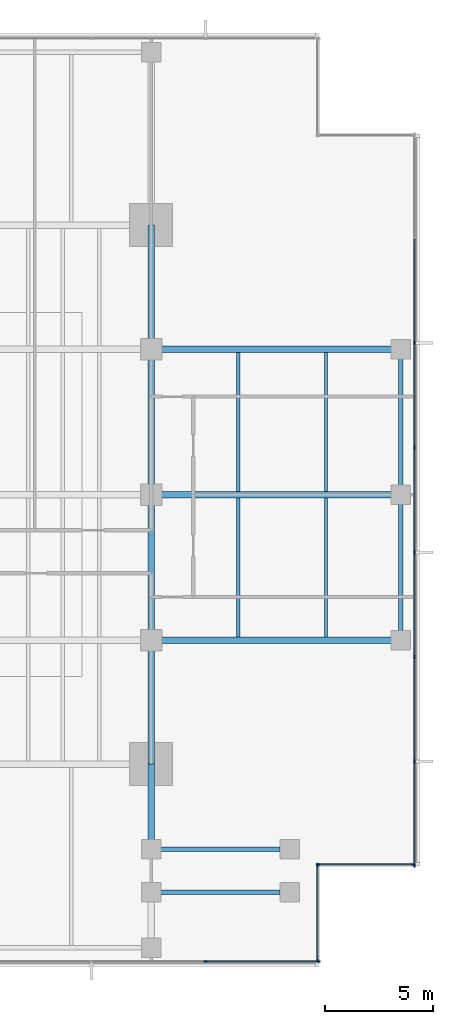
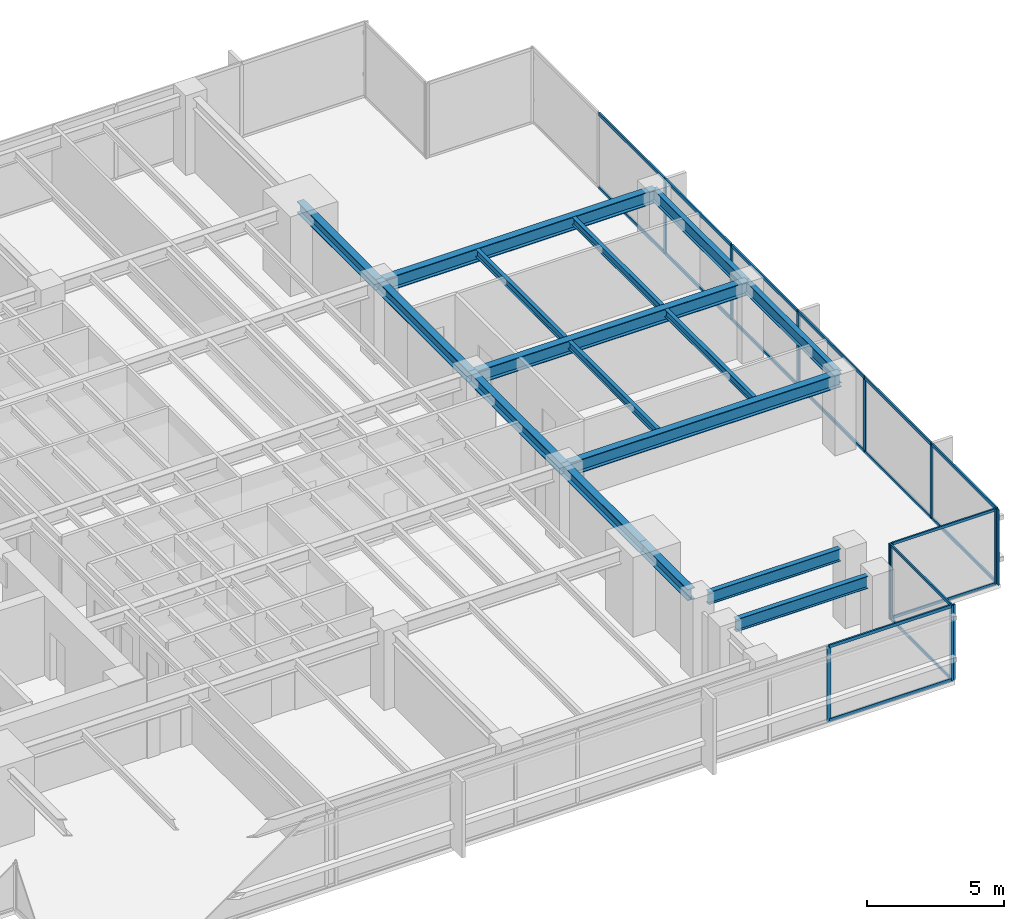
# One storey, part 5 of 15: 30 members, 16 beams, 4 elements without a shape of their own.
"""IFC4 building model written with IfcOpenShell, lengths in metres."""

from ifc_helpers import new_model, si_unit, direction, frame, origin, origin_2d, place, context, subcontext, project, spatial, rectangle, i_section, extrude, material, layer, layer_set, material_profile, profile_set, type_object, element, aggregate, save


model = new_model("IFC4")

# Units and contexts
model_context = context("Model", 3, precision=1e-05, world=origin(), true_north=direction((0.0, 1.0)))
body_context = subcontext(model_context, "Body", "Model", "MODEL_VIEW")
ifc_project = project(units=[si_unit("LENGTHUNIT", "METRE"), si_unit("AREAUNIT", "SQUARE_METRE"), si_unit("VOLUMEUNIT", "CUBIC_METRE"), si_unit("PLANEANGLEUNIT", "RADIAN"), si_unit("MASSUNIT", "GRAM", prefix="KILO")], contexts=[model_context])

# Site, building, storey
site_placement = place(None, origin())
site = spatial("IfcSite", under=ifc_project, at=site_placement, CompositionType="ELEMENT")
building_placement = place(site_placement, origin())
building = spatial("IfcBuilding", under=site, at=building_placement, Name="Kinhvarn Gate Tower", CompositionType="ELEMENT")
storey_placement = place(building_placement, frame((0.0, 0.0, 169.699951171875)))
storey = spatial("IfcBuildingStorey", under=building, at=storey_placement, Name="L45", CompositionType="ELEMENT", Elevation=169.699951171875)

# Curtain wall, members
ifc_material_1 = material(Name="Anodised aluminium AW-6063", Category="aluminium")
ifc_layer_1 = layer(ifc_material_1, 0.179931640625)
ifc_layer_set_1 = layer_set([ifc_layer_1], Name="Anodised aluminium AW-6063")
curtain_wall_type_1 = type_object("IfcCurtainWallType", Name="CW-SYS-3", PredefinedType="NOTDEFINED", material=ifc_layer_set_1)
curtain_wall_1_placement = place(storey_placement, origin())
curtain_wall_1 = element("IfcCurtainWall", 1, at=curtain_wall_1_placement, inside=storey, type_object=curtain_wall_type_1, Name="Curtain Wall CW3 (L45)", PredefinedType="NOTDEFINED")
ifc_material_profile_1 = material_profile(ifc_material_1, rectangle(XDim=0.06494140625, YDim=0.159912109375, at=origin_2d()), Name="ALU 65x160")
ifc_profile_set_1 = profile_set([ifc_material_profile_1], Name="Anodised aluminium AW-6063")
member_type_1 = type_object("IfcMemberType", Name="CW-MUL-160", PredefinedType="MULLION", material=ifc_profile_set_1)
member_1_placement = place(storey_placement, frame((40.71435546875, 3.590087890625, 0.0), z_axis=(0.0, 0.0, 1.0), x_axis=(0.0, 1.0, 0.0)))
member_1 = element("IfcMember", 2, at=member_1_placement, type_object=member_type_1, Name="CW3 mullion 7", PredefinedType="MULLION", context=body_context, shape_type="SweptSolid", body=[
    extrude(rectangle(XDim=0.06494140625, YDim=0.159912109375, at=origin_2d()), origin(), (0.0, 0.0, 1.0), 3.35009765625),
])
member_2_placement = place(storey_placement, frame((45.967529296875, 3.590087890625, 0.0), z_axis=(0.0, 0.0, 1.0), x_axis=(0.0, 1.0, 0.0)))
member_2 = element("IfcMember", 3, at=member_2_placement, type_object=member_type_1, Name="CW3 mullion 8", PredefinedType="MULLION", context=body_context, shape_type="SweptSolid", body=[
    extrude(rectangle(XDim=0.06494140625, YDim=0.159912109375, at=origin_2d()), origin(), (0.0, 0.0, 1.0), 3.35009765625),
])

curtain_wall_2_placement = place(storey_placement, origin())
curtain_wall_2 = element("IfcCurtainWall", 4, at=curtain_wall_2_placement, inside=storey, type_object=curtain_wall_type_1, Name="Curtain Wall CW3 (L45)", PredefinedType="NOTDEFINED")
member_3_placement = place(storey_placement, frame((50.409912109375, 8.032470703125, 0.0), z_axis=(0.0, 0.0, 1.0), x_axis=(-1.0, 0.0, 0.0)))
member_3 = element("IfcMember", 5, at=member_3_placement, type_object=member_type_1, Name="CW3 mullion 1", PredefinedType="MULLION", context=body_context, shape_type="SweptSolid", body=[
    extrude(rectangle(XDim=0.06494140625, YDim=0.159912109375, at=origin_2d()), origin(), (0.0, 0.0, 1.0), 3.35009765625),
])
member_4_placement = place(storey_placement, frame((50.409912109375, 12.857177734375, 0.0), z_axis=(0.0, 0.0, 1.0), x_axis=(-1.0, 0.0, 0.0)))
member_4 = element("IfcMember", 6, at=member_4_placement, type_object=member_type_1, Name="CW3 mullion 2", PredefinedType="MULLION", context=body_context, shape_type="SweptSolid", body=[
    extrude(rectangle(XDim=0.06494140625, YDim=0.159912109375, at=origin_2d()), origin(), (0.0, 0.0, 1.0), 3.35009765625),
])
member_5_placement = place(storey_placement, frame((50.409912109375, 17.71435546875, 0.0), z_axis=(0.0, 0.0, 1.0), x_axis=(-1.0, 0.0, 0.0)))
member_5 = element("IfcMember", 7, at=member_5_placement, type_object=member_type_1, Name="CW3 mullion 3", PredefinedType="MULLION", context=body_context, shape_type="SweptSolid", body=[
    extrude(rectangle(XDim=0.06494140625, YDim=0.159912109375, at=origin_2d()), origin(), (0.0, 0.0, 1.0), 3.35009765625),
])
member_6_placement = place(storey_placement, frame((50.409912109375, 22.571533203125, 0.0), z_axis=(0.0, 0.0, 1.0), x_axis=(-1.0, 0.0, 0.0)))
member_6 = element("IfcMember", 8, at=member_6_placement, type_object=member_type_1, Name="CW3 mullion 4", PredefinedType="MULLION", context=body_context, shape_type="SweptSolid", body=[
    extrude(rectangle(XDim=0.06494140625, YDim=0.159912109375, at=origin_2d()), origin(), (0.0, 0.0, 1.0), 3.35009765625),
])
member_7_placement = place(storey_placement, frame((50.409912109375, 27.428466796875, 0.0), z_axis=(0.0, 0.0, 1.0), x_axis=(-1.0, 0.0, 0.0)))
member_7 = element("IfcMember", 9, at=member_7_placement, type_object=member_type_1, Name="CW3 mullion 5", PredefinedType="MULLION", context=body_context, shape_type="SweptSolid", body=[
    extrude(rectangle(XDim=0.06494140625, YDim=0.159912109375, at=origin_2d()), origin(), (0.0, 0.0, 1.0), 3.35009765625),
])
member_8_placement = place(storey_placement, frame((50.409912109375, 32.28564453125, 0.0), z_axis=(0.0, 0.0, 1.0), x_axis=(-1.0, 0.0, 0.0)))
member_8 = element("IfcMember", 10, at=member_8_placement, type_object=member_type_1, Name="CW3 mullion 6", PredefinedType="MULLION", context=body_context, shape_type="SweptSolid", body=[
    extrude(rectangle(XDim=0.06494140625, YDim=0.159912109375, at=origin_2d()), origin(), (0.0, 0.0, 1.0), 3.35009765625),
])

ifc_layer_2 = layer(ifc_material_1, 0.179931640625)
ifc_layer_set_2 = layer_set([ifc_layer_2], Name="Anodised aluminium AW-6063")
curtain_wall_type_2 = type_object("IfcCurtainWallType", Name="CW-SYS-4", PredefinedType="NOTDEFINED", material=ifc_layer_set_2)
curtain_wall_3_placement = place(storey_placement, origin())
curtain_wall_3 = element("IfcCurtainWall", 11, at=curtain_wall_3_placement, inside=storey, type_object=curtain_wall_type_2, Name="Curtain Wall CW4 (L45)", PredefinedType="NOTDEFINED")
member_9_placement = place(storey_placement, frame((45.909912109375, 3.62255859375, 0.0), z_axis=(0.0, 0.0, 1.0), x_axis=(-1.0, 0.0, 0.0)))
member_9 = element("IfcMember", 12, at=member_9_placement, type_object=member_type_1, Name="CW4 mullion 1", PredefinedType="MULLION", context=body_context, shape_type="SweptSolid", body=[
    extrude(rectangle(XDim=0.06494140625, YDim=0.159912109375, at=origin_2d()), origin(), (0.0, 0.0, 1.0), 3.35009765625),
])
member_10_placement = place(storey_placement, frame((45.909912109375, 8.0576171875, 0.0), z_axis=(0.0, 0.0, 1.0), x_axis=(-1.0, 0.0, 0.0)))
member_10 = element("IfcMember", 13, at=member_10_placement, type_object=member_type_1, Name="CW4 mullion 2", PredefinedType="MULLION", context=body_context, shape_type="SweptSolid", body=[
    extrude(rectangle(XDim=0.06494140625, YDim=0.159912109375, at=origin_2d()), origin(), (0.0, 0.0, 1.0), 3.35009765625),
])

curtain_wall_4_placement = place(storey_placement, origin())
curtain_wall_4 = element("IfcCurtainWall", 14, at=curtain_wall_4_placement, inside=storey, type_object=curtain_wall_type_2, Name="Curtain Wall CW4 (L45)", PredefinedType="NOTDEFINED")
member_11_placement = place(storey_placement, frame((45.9423828125, 8.090087890625, 0.0), z_axis=(0.0, 0.0, 1.0), x_axis=(0.0, 1.0, 0.0)))
member_11 = element("IfcMember", 15, at=member_11_placement, type_object=member_type_1, Name="CW4 mullion 1", PredefinedType="MULLION", context=body_context, shape_type="SweptSolid", body=[
    extrude(rectangle(XDim=0.06494140625, YDim=0.159912109375, at=origin_2d()), origin(), (0.0, 0.0, 1.0), 3.35009765625),
])
member_12_placement = place(storey_placement, frame((50.37744140625, 8.090087890625, 0.0), z_axis=(0.0, 0.0, 1.0), x_axis=(0.0, 1.0, 0.0)))
member_12 = element("IfcMember", 16, at=member_12_placement, type_object=member_type_1, Name="CW4 mullion 2", PredefinedType="MULLION", context=body_context, shape_type="SweptSolid", body=[
    extrude(rectangle(XDim=0.06494140625, YDim=0.159912109375, at=origin_2d()), origin(), (0.0, 0.0, 1.0), 3.35009765625),
])

# Member
ifc_material_profile_2 = material_profile(ifc_material_1, rectangle(XDim=0.06494140625, YDim=0.1201171875, at=origin_2d()), Name="ALU 65x120")
ifc_profile_set_2 = profile_set([ifc_material_profile_2], Name="Anodised aluminium AW-6063")
member_type_2 = type_object("IfcMemberType", Name="CW-TRN-120", PredefinedType="USERDEFINED", material=ifc_profile_set_2)
member_13_placement = place(storey_placement, frame((45.909912109375, 3.655029296875, 0.032470703125), z_axis=(0.0, 1.0, 0.0), x_axis=(-1.0, 0.0, 0.0)))
member_13 = element("IfcMember", 17, at=member_13_placement, type_object=member_type_2, Name="CW4 transom 1.1", ObjectType="TRANSOM", PredefinedType="USERDEFINED", context=body_context, shape_type="SweptSolid", body=[
    extrude(rectangle(XDim=0.06494140625, YDim=0.1201171875, at=origin_2d()), origin(), (0.0, 0.0, 1.0), 4.369873046875),
])

member_14_placement = place(storey_placement, frame((45.909912109375, 3.655029296875, 3.317626953125), z_axis=(0.0, 1.0, 0.0), x_axis=(-1.0, 0.0, 0.0)))
member_14 = element("IfcMember", 18, at=member_14_placement, type_object=member_type_2, Name="CW4 transom 1.2", ObjectType="TRANSOM", PredefinedType="USERDEFINED", context=body_context, shape_type="SweptSolid", body=[
    extrude(rectangle(XDim=0.06494140625, YDim=0.1201171875, at=origin_2d()), origin(), (0.0, 0.0, 1.0), 4.369873046875),
])

aggregate(curtain_wall_3, [member_9, member_10, member_13, member_14])

member_15_placement = place(storey_placement, frame((45.97509765625, 8.090087890625, 0.032470703125), z_axis=(1.0, 0.0, 0.0), x_axis=(0.0, 1.0, 0.0)))
member_15 = element("IfcMember", 19, at=member_15_placement, type_object=member_type_2, Name="CW4 transom 1.1", ObjectType="TRANSOM", PredefinedType="USERDEFINED", context=body_context, shape_type="SweptSolid", body=[
    extrude(rectangle(XDim=0.06494140625, YDim=0.1201171875, at=origin_2d()), origin(), (0.0, 0.0, 1.0), 4.369873046875),
])

member_16_placement = place(storey_placement, frame((45.97509765625, 8.090087890625, 3.317626953125), z_axis=(1.0, 0.0, 0.0), x_axis=(0.0, 1.0, 0.0)))
member_16 = element("IfcMember", 20, at=member_16_placement, type_object=member_type_2, Name="CW4 transom 1.2", ObjectType="TRANSOM", PredefinedType="USERDEFINED", context=body_context, shape_type="SweptSolid", body=[
    extrude(rectangle(XDim=0.06494140625, YDim=0.1201171875, at=origin_2d()), origin(), (0.0, 0.0, 1.0), 4.369873046875),
])

aggregate(curtain_wall_4, [member_11, member_12, member_15, member_16])

ifc_material_profile_3 = material_profile(ifc_material_1, rectangle(XDim=0.070068359375, YDim=0.139892578125, at=origin_2d()), Name="ALU 70x140")
ifc_profile_set_3 = profile_set([ifc_material_profile_3], Name="Anodised aluminium AW-6063")
member_type_3 = type_object("IfcMemberType", Name="CW-TRN-140", PredefinedType="USERDEFINED", material=ifc_profile_set_3)
member_17_placement = place(storey_placement, frame((40.746826171875, 3.590087890625, 0.03515625), z_axis=(1.0, 0.0, 0.0), x_axis=(0.0, 1.0, 0.0)))
member_17 = element("IfcMember", 21, at=member_17_placement, type_object=member_type_3, Name="CW3 transom 7.1", ObjectType="TRANSOM", PredefinedType="USERDEFINED", context=body_context, shape_type="SweptSolid", body=[
    extrude(rectangle(XDim=0.070068359375, YDim=0.139892578125, at=origin_2d()), origin(), (0.0, 0.0, 1.0), 5.188232421875),
])

member_18_placement = place(storey_placement, frame((40.746826171875, 3.590087890625, 3.31494140625), z_axis=(1.0, 0.0, 0.0), x_axis=(0.0, 1.0, 0.0)))
member_18 = element("IfcMember", 22, at=member_18_placement, type_object=member_type_3, Name="CW3 transom 7.2", ObjectType="TRANSOM", PredefinedType="USERDEFINED", context=body_context, shape_type="SweptSolid", body=[
    extrude(rectangle(XDim=0.070068359375, YDim=0.139892578125, at=origin_2d()), origin(), (0.0, 0.0, 1.0), 5.188232421875),
])

aggregate(curtain_wall_1, [member_1, member_2, member_17, member_18])

member_19_placement = place(storey_placement, frame((50.409912109375, 8.06494140625, 0.03515625), z_axis=(0.0, 1.0, 0.0), x_axis=(-1.0, 0.0, 0.0)))
member_19 = element("IfcMember", 23, at=member_19_placement, type_object=member_type_3, Name="CW3 transom 1.1", ObjectType="TRANSOM", PredefinedType="USERDEFINED", context=body_context, shape_type="SweptSolid", body=[
    extrude(rectangle(XDim=0.070068359375, YDim=0.139892578125, at=origin_2d()), origin(), (0.0, 0.0, 1.0), 4.759765625),
])

member_20_placement = place(storey_placement, frame((50.409912109375, 8.06494140625, 3.31494140625), z_axis=(0.0, 1.0, 0.0), x_axis=(-1.0, 0.0, 0.0)))
member_20 = element("IfcMember", 24, at=member_20_placement, type_object=member_type_3, Name="CW3 transom 1.2", ObjectType="TRANSOM", PredefinedType="USERDEFINED", context=body_context, shape_type="SweptSolid", body=[
    extrude(rectangle(XDim=0.070068359375, YDim=0.139892578125, at=origin_2d()), origin(), (0.0, 0.0, 1.0), 4.759765625),
])

member_21_placement = place(storey_placement, frame((50.409912109375, 12.8896484375, 0.03515625), z_axis=(0.0, 1.0, 0.0), x_axis=(-1.0, 0.0, 0.0)))
member_21 = element("IfcMember", 25, at=member_21_placement, type_object=member_type_3, Name="CW3 transom 2.1", ObjectType="TRANSOM", PredefinedType="USERDEFINED", context=body_context, shape_type="SweptSolid", body=[
    extrude(rectangle(XDim=0.070068359375, YDim=0.139892578125, at=origin_2d()), origin(), (0.0, 0.0, 1.0), 4.792236328125),
])

member_22_placement = place(storey_placement, frame((50.409912109375, 12.8896484375, 3.31494140625), z_axis=(0.0, 1.0, 0.0), x_axis=(-1.0, 0.0, 0.0)))
member_22 = element("IfcMember", 26, at=member_22_placement, type_object=member_type_3, Name="CW3 transom 2.2", ObjectType="TRANSOM", PredefinedType="USERDEFINED", context=body_context, shape_type="SweptSolid", body=[
    extrude(rectangle(XDim=0.070068359375, YDim=0.139892578125, at=origin_2d()), origin(), (0.0, 0.0, 1.0), 4.792236328125),
])

member_23_placement = place(storey_placement, frame((50.409912109375, 17.746826171875, 0.03515625), z_axis=(0.0, 1.0, 0.0), x_axis=(-1.0, 0.0, 0.0)))
member_23 = element("IfcMember", 27, at=member_23_placement, type_object=member_type_3, Name="CW3 transom 3.1", ObjectType="TRANSOM", PredefinedType="USERDEFINED", context=body_context, shape_type="SweptSolid", body=[
    extrude(rectangle(XDim=0.070068359375, YDim=0.139892578125, at=origin_2d()), origin(), (0.0, 0.0, 1.0), 4.7919921875),
])

member_24_placement = place(storey_placement, frame((50.409912109375, 17.746826171875, 3.31494140625), z_axis=(0.0, 1.0, 0.0), x_axis=(-1.0, 0.0, 0.0)))
member_24 = element("IfcMember", 28, at=member_24_placement, type_object=member_type_3, Name="CW3 transom 3.2", ObjectType="TRANSOM", PredefinedType="USERDEFINED", context=body_context, shape_type="SweptSolid", body=[
    extrude(rectangle(XDim=0.070068359375, YDim=0.139892578125, at=origin_2d()), origin(), (0.0, 0.0, 1.0), 4.7919921875),
])

member_25_placement = place(storey_placement, frame((50.409912109375, 22.60400390625, 0.03515625), z_axis=(0.0, 1.0, 0.0), x_axis=(-1.0, 0.0, 0.0)))
member_25 = element("IfcMember", 29, at=member_25_placement, type_object=member_type_3, Name="CW3 transom 4.1", ObjectType="TRANSOM", PredefinedType="USERDEFINED", context=body_context, shape_type="SweptSolid", body=[
    extrude(rectangle(XDim=0.070068359375, YDim=0.139892578125, at=origin_2d()), origin(), (0.0, 0.0, 1.0), 4.7919921875),
])

member_26_placement = place(storey_placement, frame((50.409912109375, 22.60400390625, 3.31494140625), z_axis=(0.0, 1.0, 0.0), x_axis=(-1.0, 0.0, 0.0)))
member_26 = element("IfcMember", 30, at=member_26_placement, type_object=member_type_3, Name="CW3 transom 4.2", ObjectType="TRANSOM", PredefinedType="USERDEFINED", context=body_context, shape_type="SweptSolid", body=[
    extrude(rectangle(XDim=0.070068359375, YDim=0.139892578125, at=origin_2d()), origin(), (0.0, 0.0, 1.0), 4.7919921875),
])

member_27_placement = place(storey_placement, frame((50.409912109375, 27.461181640625, 0.03515625), z_axis=(0.0, 1.0, 0.0), x_axis=(-1.0, 0.0, 0.0)))
member_27 = element("IfcMember", 31, at=member_27_placement, type_object=member_type_3, Name="CW3 transom 5.1", ObjectType="TRANSOM", PredefinedType="USERDEFINED", context=body_context, shape_type="SweptSolid", body=[
    extrude(rectangle(XDim=0.070068359375, YDim=0.139892578125, at=origin_2d()), origin(), (0.0, 0.0, 1.0), 4.7919921875),
])

member_28_placement = place(storey_placement, frame((50.409912109375, 27.461181640625, 3.31494140625), z_axis=(0.0, 1.0, 0.0), x_axis=(-1.0, 0.0, 0.0)))
member_28 = element("IfcMember", 32, at=member_28_placement, type_object=member_type_3, Name="CW3 transom 5.2", ObjectType="TRANSOM", PredefinedType="USERDEFINED", context=body_context, shape_type="SweptSolid", body=[
    extrude(rectangle(XDim=0.070068359375, YDim=0.139892578125, at=origin_2d()), origin(), (0.0, 0.0, 1.0), 4.7919921875),
])

member_29_placement = place(storey_placement, frame((50.409912109375, 32.318115234375, 0.03515625), z_axis=(0.0, 1.0, 0.0), x_axis=(-1.0, 0.0, 0.0)))
member_29 = element("IfcMember", 33, at=member_29_placement, type_object=member_type_3, Name="CW3 transom 6.1", ObjectType="TRANSOM", PredefinedType="USERDEFINED", context=body_context, shape_type="SweptSolid", body=[
    extrude(rectangle(XDim=0.070068359375, YDim=0.139892578125, at=origin_2d()), origin(), (0.0, 0.0, 1.0), 4.792236328125),
])

member_30_placement = place(storey_placement, frame((50.409912109375, 32.318115234375, 3.31494140625), z_axis=(0.0, 1.0, 0.0), x_axis=(-1.0, 0.0, 0.0)))
member_30 = element("IfcMember", 34, at=member_30_placement, type_object=member_type_3, Name="CW3 transom 6.2", ObjectType="TRANSOM", PredefinedType="USERDEFINED", context=body_context, shape_type="SweptSolid", body=[
    extrude(rectangle(XDim=0.070068359375, YDim=0.139892578125, at=origin_2d()), origin(), (0.0, 0.0, 1.0), 4.792236328125),
])

aggregate(curtain_wall_2, [member_3, member_4, member_5, member_6, member_7, member_8, member_19, member_20, member_21, member_22, member_23, member_24, member_25, member_26, member_27, member_28, member_29, member_30])

# Beams
ifc_material_2 = material(Name="Steel S355", Category="steel")
ifc_material_profile_4 = material_profile(ifc_material_2, i_section(OverallWidth=0.300048828125, OverallDepth=0.5, WebThickness=0.014404296875, FlangeThickness=0.028076171875, at=origin_2d()), Name="HEB 500")
ifc_profile_set_4 = profile_set([ifc_material_profile_4], Name="Steel S355")
beam_type_1 = type_object("IfcBeamType", Name="STL-HEB500", PredefinedType="BEAM", material=ifc_profile_set_4)
beam_1_placement = place(storey_placement, frame((38.199951171875, 9.235107421875, 3.10009765625), z_axis=(0.0, 1.0, 0.0), x_axis=(-1.0, 0.0, 0.0)))
element("IfcBeam", 35, at=beam_1_placement, inside=storey, type_object=beam_type_1, Name="Floor Beam PG-14 (L45 MCE-S-A2)", PredefinedType="BEAM", context=body_context, shape_type="SweptSolid", body=[
    extrude(i_section(OverallWidth=0.300048828125, OverallDepth=0.5, WebThickness=0.014404296875, FlangeThickness=0.028076171875, at=origin_2d()), origin(), (0.0, 0.0, 1.0), 3.514892578125),
])
beam_2_placement = place(storey_placement, frame((38.199951171875, 12.75, 3.10009765625), z_axis=(0.0, 1.0, 0.0), x_axis=(-1.0, 0.0, 0.0)))
element("IfcBeam", 36, at=beam_2_placement, inside=storey, type_object=beam_type_1, Name="Floor Beam PG-14 (L45 MG-E-12)", PredefinedType="BEAM", context=body_context, shape_type="SweptSolid", body=[
    extrude(i_section(OverallWidth=0.300048828125, OverallDepth=0.5, WebThickness=0.014404296875, FlangeThickness=0.028076171875, at=origin_2d()), origin(), (0.0, 0.0, 1.0), 5.75),
])
for number, where, z_axis, x_axis, name in (
    (37, (38.199951171875, 18.5, 3.10009765625), (0.0, 1.0, 0.0), (-1.0, 0.0, 0.0), "Floor Beam PG-14 (L45 MG-E-18)"),
    (38, (38.199951171875, 25.25, 3.10009765625), (0.0, 1.0, 0.0), (-1.0, 0.0, 0.0), "Floor Beam PG-14 (L45 MG-E-25)"),
):
    element("IfcBeam", number, at=place(storey_placement, frame(where, z_axis=z_axis, x_axis=x_axis)), inside=storey, type_object=beam_type_1, Name=name, PredefinedType="BEAM", context=body_context, shape_type="SweptSolid", body=[
        extrude(i_section(OverallWidth=0.300048828125, OverallDepth=0.5, WebThickness=0.014404296875, FlangeThickness=0.028076171875, at=origin_2d()), origin(), (0.0, 0.0, 1.0), 6.75),
    ])
beam_3_placement = place(storey_placement, frame((38.199951171875, 32.0, 3.10009765625), z_axis=(0.0, 1.0, 0.0), x_axis=(-1.0, 0.0, 0.0)))
element("IfcBeam", 39, at=beam_3_placement, inside=storey, type_object=beam_type_1, Name="Floor Beam PG-14 (L45 MG-E-32)", PredefinedType="BEAM", context=body_context, shape_type="SweptSolid", body=[
    extrude(i_section(OverallWidth=0.300048828125, OverallDepth=0.5, WebThickness=0.014404296875, FlangeThickness=0.028076171875, at=origin_2d()), origin(), (0.0, 0.0, 1.0), 5.75),
])
ifc_material_profile_5 = material_profile(ifc_material_2, i_section(OverallWidth=0.300048828125, OverallDepth=0.60009765625, WebThickness=0.015380859375, FlangeThickness=0.030029296875, at=origin_2d()), Name="HEB 600")
ifc_profile_set_5 = profile_set([ifc_material_profile_5], Name="Steel S355")
beam_type_2 = type_object("IfcBeamType", Name="STL-HEB600", PredefinedType="BEAM", material=ifc_profile_set_5)
for number, where, z_axis, x_axis, name in (
    (40, (38.199951171875, 18.5, 3.050048828125), (1.0, 0.0, 0.0), (0.0, 1.0, 0.0), "Floor Beam PG-16 (L45 EW2-Y18)"),
    (41, (38.199951171875, 25.25, 3.050048828125), (1.0, 0.0, 0.0), (0.0, 1.0, 0.0), "Floor Beam PG-16 (L45 EW2-Y25)"),
    (42, (38.199951171875, 32.0, 3.050048828125), (1.0, 0.0, 0.0), (0.0, 1.0, 0.0), "Floor Beam PG-16 (L45 EW2-Y32)"),
):
    element("IfcBeam", number, at=place(storey_placement, frame(where, z_axis=z_axis, x_axis=x_axis)), inside=storey, type_object=beam_type_2, Name=name, PredefinedType="BEAM", context=body_context, shape_type="SweptSolid", body=[
        extrude(i_section(OverallWidth=0.300048828125, OverallDepth=0.60009765625, WebThickness=0.015380859375, FlangeThickness=0.030029296875, at=origin_2d()), origin(), (0.0, 0.0, 1.0), 11.580078125),
    ])
ifc_material_profile_6 = material_profile(ifc_material_2, i_section(OverallWidth=0.159912109375, OverallDepth=0.330078125, WebThickness=0.007568359375, FlangeThickness=0.011474609375, at=origin_2d()), Name="IPE 330")
ifc_profile_set_6 = profile_set([ifc_material_profile_6], Name="Steel S355")
beam_type_3 = type_object("IfcBeamType", Name="STL-IPE330", PredefinedType="JOIST", material=ifc_profile_set_6)
for number, where, z_axis, x_axis, name in (
    (43, (42.25, 18.64990234375, 3.18505859375), (0.0, 1.0, 0.0), (-1.0, 0.0, 0.0), "Floor Joist SB-03 (L45 JC-X422-1)"),
    (44, (42.25, 25.39990234375, 3.18505859375), (0.0, 1.0, 0.0), (-1.0, 0.0, 0.0), "Floor Joist SB-03 (L45 JC-X422-2)"),
    (45, (46.31005859375, 18.64990234375, 3.18505859375), (0.0, 1.0, 0.0), (-1.0, 0.0, 0.0), "Floor Joist SB-03 (L45 JC-X463-1)"),
    (46, (46.31005859375, 25.39990234375, 3.18505859375), (0.0, 1.0, 0.0), (-1.0, 0.0, 0.0), "Floor Joist SB-03 (L45 JC-X463-2)"),
):
    element("IfcBeam", number, at=place(storey_placement, frame(where, z_axis=z_axis, x_axis=x_axis)), inside=storey, type_object=beam_type_3, Name=name, PredefinedType="JOIST", context=body_context, shape_type="SweptSolid", body=[
        extrude(i_section(OverallWidth=0.159912109375, OverallDepth=0.330078125, WebThickness=0.007568359375, FlangeThickness=0.011474609375, at=origin_2d()), origin(), (0.0, 0.0, 1.0), 6.4501953125),
    ])
ifc_material_profile_7 = material_profile(ifc_material_2, i_section(OverallWidth=0.2099609375, OverallDepth=0.550048828125, WebThickness=0.010986328125, FlangeThickness=0.01708984375, at=origin_2d()), Name="IPE 550")
ifc_profile_set_7 = profile_set([ifc_material_profile_7], Name="Steel S355")
beam_type_4 = type_object("IfcBeamType", Name="STL-IPE550", PredefinedType="SPANDREL", material=ifc_profile_set_7)
for number, where, z_axis, x_axis, name in (
    (47, (38.635009765625, 8.800048828125, 3.074951171875), (1.0, 0.0, 0.0), (0.0, 1.0, 0.0), "Floor Spandrel SB-08 (L45 SP-SE2)"),
    (48, (38.635009765625, 6.800048828125, 3.074951171875), (1.0, 0.0, 0.0), (0.0, 1.0, 0.0), "Floor Spandrel SB-08 (L45 SP-SE2-S)"),
):
    element("IfcBeam", number, at=place(storey_placement, frame(where, z_axis=z_axis, x_axis=x_axis)), inside=storey, type_object=beam_type_4, Name=name, PredefinedType="SPANDREL", context=body_context, shape_type="SweptSolid", body=[
        extrude(i_section(OverallWidth=0.2099609375, OverallDepth=0.550048828125, WebThickness=0.010986328125, FlangeThickness=0.01708984375, at=origin_2d()), origin(), (0.0, 0.0, 1.0), 5.550048828125),
    ])
for number, where, z_axis, x_axis, name in (
    (49, (49.780029296875, 18.5, 3.074951171875), (0.0, 1.0, 0.0), (-1.0, 0.0, 0.0), "Floor Spandrel SB-08 (L45 SP-E2)"),
    (50, (49.780029296875, 25.25, 3.074951171875), (0.0, 1.0, 0.0), (-1.0, 0.0, 0.0), "Floor Spandrel SB-08 (L45 SP-E3)"),
):
    element("IfcBeam", number, at=place(storey_placement, frame(where, z_axis=z_axis, x_axis=x_axis)), inside=storey, type_object=beam_type_4, Name=name, PredefinedType="SPANDREL", context=body_context, shape_type="SweptSolid", body=[
        extrude(i_section(OverallWidth=0.2099609375, OverallDepth=0.550048828125, WebThickness=0.010986328125, FlangeThickness=0.01708984375, at=origin_2d()), origin(), (0.0, 0.0, 1.0), 6.75),
    ])

save(model, "model.ifc")
